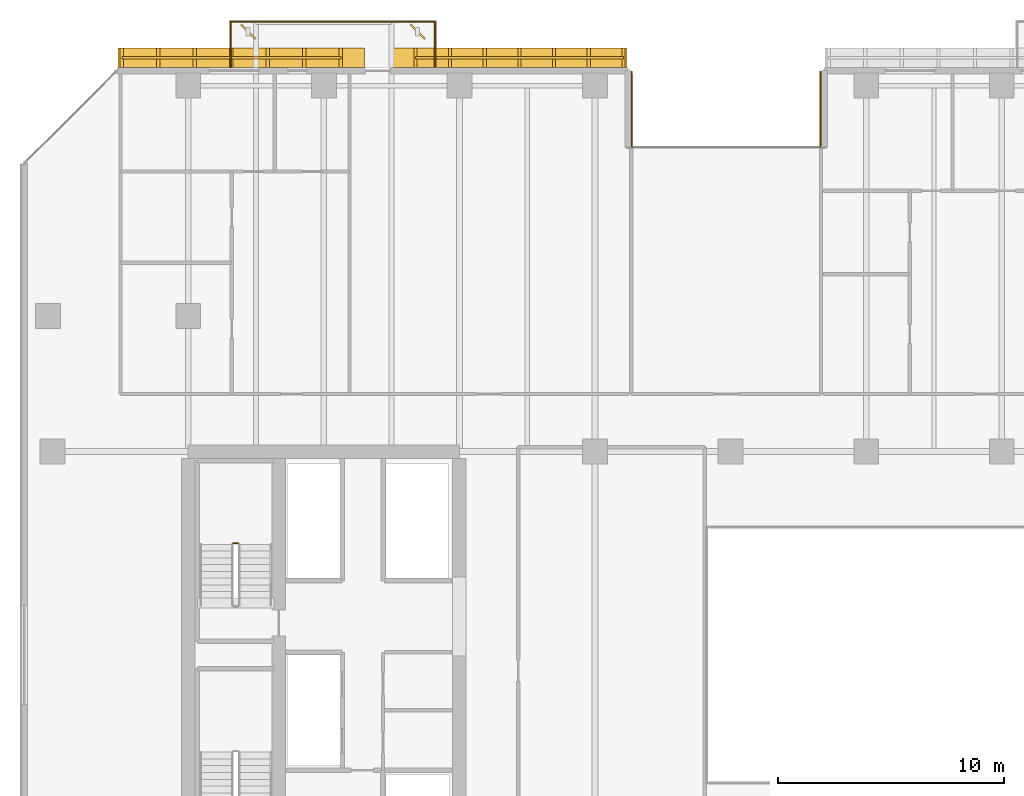
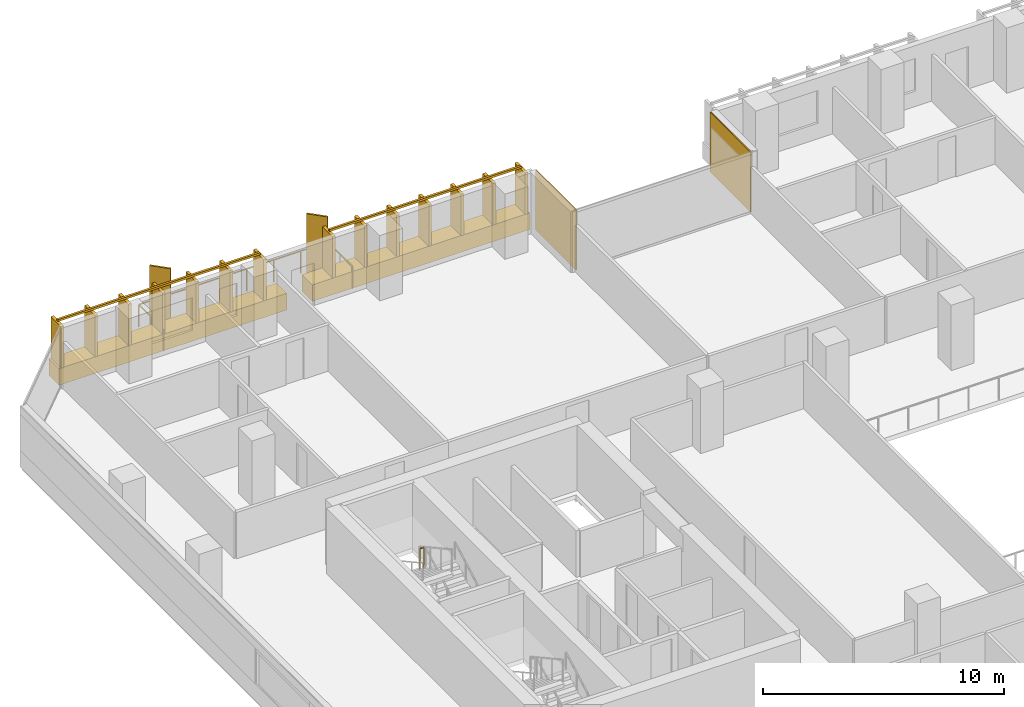
# One storey, part 30 of 34: 4 coverings, 4 railings, 2 shading devices.
"""IFC4 building model written with IfcOpenShell, lengths in metres."""

import ifcopenshell
import ifcopenshell.guid

model = None  # the IFC model being written
_history = None  # IfcOwnerHistory: only IFC2X3 demands one
_inside = {}  # id of a spatial element -> (the spatial element, [elements in it])
_under = {}  # id of a project, library or spatial element -> (it, [spatial elements below it])
_declared = {}  # id of a project -> (the project, [libraries it declares])
_typed = {}  # id of a type object -> (the type object, [elements of that type])
_made_of = {}  # id of a material, layer set ... -> (it, [elements and type objects made of it])


def new_model(schema):
    """Start an empty IFC model of exactly this schema.

    Asked for "IFC4X3", IfcOpenShell would pick the latest addendum, in which some entities
    have other attributes; the version numbers below select the first issue.
    IFC2X3 requires an IfcOwnerHistory on every rooted entity: one is made here for all.
    """
    global model, _history
    if schema == "IFC4X3":
        model = ifcopenshell.file(schema_version=(4, 3, 0, 0))
    else:
        model = ifcopenshell.file(schema=schema)
    _inside.clear()
    _under.clear()
    _declared.clear()
    _typed.clear()
    _made_of.clear()
    _history = None
    if model.schema == "IFC2X3":
        org = make("IfcOrganization", Name="unknown")
        user = make(
            "IfcPersonAndOrganization",
            ThePerson=make("IfcPerson", FamilyName="unknown"),
            TheOrganization=org,
        )
        app = make(
            "IfcApplication",
            ApplicationDeveloper=org,
            Version="unknown",
            ApplicationFullName="unknown",
            ApplicationIdentifier="unknown",
        )
        _history = make(
            "IfcOwnerHistory",
            OwningUser=user,
            OwningApplication=app,
            ChangeAction="ADDED",
            CreationDate=0,
        )
    return model


def make(cls, **values):
    """One entity of the class cls with the attributes given. An attribute that is None is left unset."""
    return model.create_entity(
        cls, **{name: value for name, value in values.items() if value is not None}
    )


def rooted(cls, **values):
    """An entity with a GlobalId (a new one), such as an element, a storey or a relation."""
    return make(cls, GlobalId=ifcopenshell.guid.new(), OwnerHistory=_history, **values)


def si_unit(unit_type, name, prefix=None):
    """IfcSIUnit, for example si_unit("LENGTHUNIT", "METRE", prefix="MILLI")."""
    return make("IfcSIUnit", UnitType=unit_type, Prefix=prefix, Name=name)


def assignment(units):
    """IfcUnitAssignment: the units of a project."""
    return None if units is None else make("IfcUnitAssignment", Units=units)


def point(xyz):
    """IfcCartesianPoint."""
    return None if xyz is None else make("IfcCartesianPoint", Coordinates=xyz)


def direction(xyz):
    """IfcDirection."""
    return None if xyz is None else make("IfcDirection", DirectionRatios=xyz)


def frame(location, z_axis=None, x_axis=None):
    """IfcAxis2Placement3D, a coordinate frame: its origin and axes. An axis left out is left unset."""
    return make(
        "IfcAxis2Placement3D",
        Location=point(location),
        Axis=direction(z_axis),
        RefDirection=direction(x_axis),
    )


def frame_2d(location, x_axis=None):
    """IfcAxis2Placement2D, a coordinate frame in the plane: its origin and x axis."""
    return make(
        "IfcAxis2Placement2D", Location=point(location), RefDirection=direction(x_axis)
    )


def origin():
    """The frame at (0, 0, 0) with its axes left unset."""
    return frame((0.0, 0.0, 0.0))


def origin_2d():
    """The frame at (0, 0) in the plane with its x axis left unset."""
    return frame_2d((0.0, 0.0))


def place(relative_to, where):
    """IfcLocalPlacement: puts the frame where relative to a parent placement (None: the world)."""
    return make(
        "IfcLocalPlacement", PlacementRelTo=relative_to, RelativePlacement=where
    )


def context(
    kind, dimensions, precision=None, world=None, true_north=None, identifier=None
):
    """IfcGeometricRepresentationContext, for example the 3D "Model" context."""
    return make(
        "IfcGeometricRepresentationContext",
        ContextIdentifier=identifier,
        ContextType=kind,
        CoordinateSpaceDimension=dimensions,
        Precision=precision,
        WorldCoordinateSystem=world,
        TrueNorth=true_north,
    )


def subcontext(parent, identifier, kind, view, scale=None):
    """IfcGeometricRepresentationSubContext, for example "Body" below "Model"."""
    return make(
        "IfcGeometricRepresentationSubContext",
        ContextIdentifier=identifier,
        ContextType=kind,
        ParentContext=parent,
        TargetScale=scale,
        TargetView=view,
    )


def project(units=None, contexts=None):
    """IfcProject with its units and contexts."""
    return rooted(
        "IfcProject",
        Name="project",
        RepresentationContexts=contexts,
        UnitsInContext=assignment(units),
    )


def spatial(cls, under=None, at=None, **own):
    """A site, building, storey or space (cls), placed at a placement, below another one or the project."""
    s = rooted(cls, ObjectPlacement=at, **own)
    if under is not None:
        _under.setdefault(under.id(), (under, []))[1].append(s)
    return s


def profile(cls, at=None, kind="AREA", **sizes):
    """A parametric profile (cls). Its sizes go by their IFC names, for example OverallWidth=200.0."""
    return make(cls, ProfileType=kind, Position=at, **sizes)


def rectangle(**sizes):
    """IfcRectangleProfileDef."""
    return profile("IfcRectangleProfileDef", **sizes)


def extrude(swept, where, along, depth):
    """IfcExtrudedAreaSolid: the profile swept, set in the frame where, extruded along a direction by depth."""
    return make(
        "IfcExtrudedAreaSolid",
        SweptArea=swept,
        Position=where,
        ExtrudedDirection=direction(along),
        Depth=depth,
    )


def shape(context_of_items, identifier, shape_type, items):
    """IfcShapeRepresentation: the items that make up one representation, for example the "Body"."""
    return make(
        "IfcShapeRepresentation",
        ContextOfItems=context_of_items,
        RepresentationIdentifier=identifier,
        RepresentationType=shape_type,
        Items=items,
    )


def material(Name=None, Category=None):
    """IfcMaterial."""
    return make("IfcMaterial", Name=Name, Category=Category)


def layer(
    of_material, thickness, ventilated=None, Name=None, Category=None, Priority=None
):
    """IfcMaterialLayer: one layer of a wall or slab, of a material (None: an air gap)."""
    return make(
        "IfcMaterialLayer",
        Material=of_material,
        LayerThickness=thickness,
        IsVentilated=ventilated,
        Name=Name,
        Category=Category,
        Priority=Priority,
    )


def layer_set(layers, Name=None):
    """IfcMaterialLayerSet."""
    return make("IfcMaterialLayerSet", MaterialLayers=layers, LayerSetName=Name)


def made_of(thing, what):
    """Note that an element or type object is made of a material, layer set ...; save() writes the relation."""
    if what is not None:
        _made_of.setdefault(what.id(), (what, []))[1].append(thing)
    return thing


def type_object(cls, material=None, **own):
    """A type object (cls), such as IfcWallType, which elements share."""
    return made_of(rooted(cls, **own), material)


def element(
    cls,
    number,
    at=None,
    inside=None,
    cuts=None,
    type_object=None,
    material=None,
    context=None,
    identifier="Body",
    shape_type=None,
    held_by="IfcProductDefinitionShape",
    body=None,
    shapes=None,
    **own,
):
    """One element of the class cls, such as IfcWall. Its Tag is "e" and its number.

    at: its placement. inside: the storey or other place that contains it. cuts: it is an
    opening in that element (IfcRelVoidsElement). A single representation is given by context,
    identifier, shape_type and body (its items); several are given by shapes. held_by: the class
    of the entity that holds the representations. save() writes the other relations.
    """
    e = rooted(cls, Tag="e%d" % number, ObjectPlacement=at, **own)
    if body is not None:
        shapes = [shape(context, identifier, shape_type, body)]
    if shapes is not None:
        e.Representation = make(held_by, Representations=shapes)
    if inside is not None:
        _inside.setdefault(inside.id(), (inside, []))[1].append(e)
    if cuts is not None:
        rooted(
            "IfcRelVoidsElement", RelatingBuildingElement=cuts, RelatedOpeningElement=e
        )
    if type_object is not None:
        _typed.setdefault(type_object.id(), (type_object, []))[1].append(e)
    return made_of(e, material)


def aggregate(whole, parts):
    """IfcRelAggregates: a whole, such as a stair, and the parts it consists of."""
    return rooted("IfcRelAggregates", RelatingObject=whole, RelatedObjects=parts)


def save(model, path):
    """Write the relations noted so far, then the file.

    IfcRelAggregates (storeys below a building ...), IfcRelContainedInSpatialStructure (elements
    in a storey), IfcRelDefinesByType, IfcRelAssociatesMaterial and IfcRelDeclares: one each for
    every whole, place, type object, material and project.
    """
    for whole, parts in _under.values():
        aggregate(whole, parts)
    for where, things in _inside.values():
        rooted(
            "IfcRelContainedInSpatialStructure",
            RelatedElements=things,
            RelatingStructure=where,
        )
    for kind, things in _typed.values():
        rooted("IfcRelDefinesByType", RelatedObjects=things, RelatingType=kind)
    for what, things in _made_of.values():
        rooted("IfcRelAssociatesMaterial", RelatedObjects=things, RelatingMaterial=what)
    for by, libraries in _declared.values():
        rooted("IfcRelDeclares", RelatingContext=by, RelatedDefinitions=libraries)
    model.write(path)


model = new_model("IFC4")

# Units and contexts
model_context = context("Model", 3, precision=1e-05, world=origin(), true_north=direction((0.0, 1.0)))
body_context = subcontext(model_context, "Body", "Model", "MODEL_VIEW")
ifc_project = project(units=[si_unit("LENGTHUNIT", "METRE"), si_unit("AREAUNIT", "SQUARE_METRE"), si_unit("VOLUMEUNIT", "CUBIC_METRE"), si_unit("PLANEANGLEUNIT", "RADIAN"), si_unit("MASSUNIT", "GRAM", prefix="KILO")], contexts=[model_context])

# Site, building, storey
site_placement = place(None, origin())
site = spatial("IfcSite", under=ifc_project, at=site_placement, CompositionType="ELEMENT")
building_placement = place(site_placement, origin())
building = spatial("IfcBuilding", under=site, at=building_placement, Name="Tanjung Sevakor Pilgrim Tower", CompositionType="ELEMENT")
storey_placement = place(building_placement, frame((0.0, 0.0, 55.43994140625)))
storey = spatial("IfcBuildingStorey", under=building, at=storey_placement, Name="L15", CompositionType="ELEMENT", Elevation=55.43994140625)

# Coverings
ifc_material_1 = material(Name="Reconstructed Limestone Cladding", Category="masonry")
ifc_layer = layer(ifc_material_1, 0.044921875)
ifc_layer_set = layer_set([ifc_layer], Name="COV-CLAD-LIMESTONE")
covering_type = type_object("IfcCoveringType", Name="COV-CLAD-LIMESTONE", PredefinedType="CLADDING", material=ifc_layer_set)
for number, where, z_axis, x_axis, name in (
    (1, (51.9775390625, 57.760009765625, 0.02001953125), (0.0, 0.0, 1.0), (0.0, -1.0, 0.0), "L15 Warm Limestone Wall Cladding EW-L15-MAIN-10"),
    (2, (43.62255859375, 57.760009765625, 0.02001953125), (0.0, 0.0, 1.0), (0.0, 1.0, 0.0), "L15 Warm Limestone Wall Cladding EW-L15-MAIN-12"),
):
    element("IfcCovering", number, at=place(storey_placement, frame(where, z_axis=z_axis, x_axis=x_axis)), inside=storey, type_object=covering_type, Name=name, PredefinedType="CLADDING", context=body_context, shape_type="SweptSolid", body=[
        extrude(rectangle(XDim=3.360107421875, YDim=0.044921875, at=origin_2d()), origin(), (0.0, 0.0, 1.0), 3.0400390625),
    ])
covering_1_placement = place(storey_placement, frame((38.215087890625, 60.030029296875, 0.01025390625), z_axis=(0.0, 0.0, 1.0), x_axis=(-1.0, 0.0, 0.0)))
element("IfcCovering", 3, at=covering_1_placement, inside=storey, type_object=covering_type, Name="L15 Warm Limestone Sill Spandrel EW-L15-MAIN-13-1", PredefinedType="CLADDING", context=body_context, shape_type="SweptSolid", body=[
    extrude(rectangle(XDim=10.409912109375, YDim=0.860107421875, at=origin_2d()), origin(), (0.0, 0.0, 1.0), 0.840087890625),
])
covering_2_placement = place(storey_placement, frame((26.343994140625, 60.030029296875, 0.01025390625), z_axis=(0.0, 0.0, 1.0), x_axis=(-1.0, 0.0, 0.0)))
element("IfcCovering", 4, at=covering_2_placement, inside=storey, type_object=covering_type, Name="L15 Warm Limestone Sill Spandrel EW-L15-MAIN-13-2", PredefinedType="CLADDING", context=body_context, shape_type="SweptSolid", body=[
    extrude(rectangle(XDim=10.89208984375, YDim=0.860107421875, at=origin_2d()), origin(), (0.0, 0.0, 1.0), 0.840087890625),
])

# Railings
ifc_material_2 = material(Name="Laminated Glass and Aluminium", Category="aluminium")
railing_type_1 = type_object("IfcRailingType", Name="RL-BAL-BALUST", PredefinedType="BALUSTRADE", material=ifc_material_2)
railing_1_placement = place(storey_placement, frame((25.8798828125, 59.60009765625, 0.0)))
element("IfcRailing", 5, at=railing_1_placement, inside=storey, type_object=railing_type_1, Name="L15 Loggia Balustrade MAIN-N1", PredefinedType="BALUSTRADE", context=body_context, shape_type="SweptSolid", body=[
    extrude(rectangle(XDim=0.0479, YDim=0.0479), frame((0.0, 0.0, 1.1259765625), z_axis=(0.0, 1.0, 0.0), x_axis=(-1.0, 0.0, 0.0)), (0.0, 0.0, 1.0), 2.02001953125),
    extrude(rectangle(XDim=0.0479, YDim=0.0479), frame((0.0, 2.02001953125, 1.1259765625), z_axis=(1.0, 0.0, 0.0), x_axis=(0.0, 1.0, 0.0)), (0.0, 0.0, 1.0), 9.0400390625),
    extrude(rectangle(XDim=0.0479, YDim=0.0479), frame((9.0400390625, 2.02001953125, 1.1259765625), z_axis=(0.0, -1.0, 0.0), x_axis=(1.0, 0.0, 0.0)), (0.0, 0.0, 1.0), 2.02001953125),
    extrude(rectangle(XDim=0.042, YDim=0.042), origin(), (0.0, 0.0, 1.0), 1.101806640625),
    extrude(rectangle(XDim=0.042, YDim=0.042), frame((0.0, 1.010009765625, 0.0)), (0.0, 0.0, 1.0), 1.101806640625),
    extrude(rectangle(XDim=0.042, YDim=0.042), frame((0.0, 2.02001953125, 0.0)), (0.0, 0.0, 1.0), 1.101806640625),
    extrude(rectangle(XDim=0.042, YDim=0.042), frame((1.29150390625, 2.02001953125, 0.0)), (0.0, 0.0, 1.0), 1.101806640625),
    extrude(rectangle(XDim=0.042, YDim=0.042), frame((2.582763671875, 2.02001953125, 0.0)), (0.0, 0.0, 1.0), 1.101806640625),
    extrude(rectangle(XDim=0.042, YDim=0.042), frame((3.874267578125, 2.02001953125, 0.0)), (0.0, 0.0, 1.0), 1.101806640625),
    extrude(rectangle(XDim=0.042, YDim=0.042), frame((5.165771484375, 2.02001953125, 0.0)), (0.0, 0.0, 1.0), 1.101806640625),
    extrude(rectangle(XDim=0.042, YDim=0.042), frame((6.457275390625, 2.02001953125, 0.0)), (0.0, 0.0, 1.0), 1.101806640625),
    extrude(rectangle(XDim=0.042, YDim=0.042), frame((7.74853515625, 2.02001953125, 0.0)), (0.0, 0.0, 1.0), 1.101806640625),
    extrude(rectangle(XDim=0.042, YDim=0.042), frame((9.0400390625, 2.02001953125, 0.0)), (0.0, 0.0, 1.0), 1.101806640625),
    extrude(rectangle(XDim=0.042, YDim=0.042), frame((9.0400390625, 1.010009765625, 0.0)), (0.0, 0.0, 1.0), 1.101806640625),
    extrude(rectangle(XDim=0.042, YDim=0.042), frame((9.0400390625, 0.0, 0.0)), (0.0, 0.0, 1.0), 1.101806640625),
])
ifc_material_3 = material(Name="Anodised Bronze Aluminium 6063-T6", Category="aluminium")
railing_type_2 = type_object("IfcRailingType", Name="RL-FIN-SCREEN", PredefinedType="BALUSTRADE", material=ifc_material_3)
railing_2_placement = place(storey_placement, frame((43.260009765625, 60.02490234375, 0.840087890625)))
element("IfcRailing", 6, at=railing_2_placement, inside=storey, type_object=railing_type_2, Name="L15 Vertical Bronze-Gold Solar Fin Screen FNSCR-EW-L15-MAIN-13-1", PredefinedType="BALUSTRADE", context=body_context, shape_type="SweptSolid", body=[
    extrude(rectangle(XDim=0.105, YDim=0.105), frame((0.0, 0.0, 2.157470703125), z_axis=(-1.0, 0.0, 0.0), x_axis=(0.0, -1.0, 0.0)), (0.0, 0.0, 1.0), 9.2099609375),
    extrude(rectangle(XDim=0.14, YDim=0.85), origin(), (0.0, 0.0, 1.0), 2.10498046875),
    extrude(rectangle(XDim=0.14, YDim=0.85), frame((-1.534912109375, 0.0, 0.0)), (0.0, 0.0, 1.0), 2.10498046875),
    extrude(rectangle(XDim=0.14, YDim=0.85), frame((-3.070068359375, 0.0, 0.0)), (0.0, 0.0, 1.0), 2.10498046875),
    extrude(rectangle(XDim=0.14, YDim=0.85), frame((-4.60498046875, 0.0, 0.0)), (0.0, 0.0, 1.0), 2.10498046875),
    extrude(rectangle(XDim=0.14, YDim=0.85), frame((-6.139892578125, 0.0, 0.0)), (0.0, 0.0, 1.0), 2.10498046875),
    extrude(rectangle(XDim=0.14, YDim=0.85), frame((-7.675048828125, 0.0, 0.0)), (0.0, 0.0, 1.0), 2.10498046875),
    extrude(rectangle(XDim=0.14, YDim=0.85), frame((-9.2099609375, 0.0, 0.0)), (0.0, 0.0, 1.0), 2.10498046875),
])
railing_3_placement = place(storey_placement, frame((30.75, 60.02490234375, 0.840087890625)))
element("IfcRailing", 7, at=railing_3_placement, inside=storey, type_object=railing_type_2, Name="L15 Vertical Bronze-Gold Solar Fin Screen FNSCR-EW-L15-MAIN-13-2", PredefinedType="BALUSTRADE", context=body_context, shape_type="SweptSolid", body=[
    extrude(rectangle(XDim=0.105, YDim=0.105), frame((0.0, 0.0, 2.157470703125), z_axis=(-1.0, 0.0, 0.0), x_axis=(0.0, -1.0, 0.0)), (0.0, 0.0, 1.0), 9.69189453125),
    extrude(rectangle(XDim=0.14, YDim=0.85), origin(), (0.0, 0.0, 1.0), 2.10498046875),
    extrude(rectangle(XDim=0.14, YDim=0.85), frame((-1.615234375, 0.0, 0.0)), (0.0, 0.0, 1.0), 2.10498046875),
    extrude(rectangle(XDim=0.14, YDim=0.85), frame((-3.230712890625, 0.0, 0.0)), (0.0, 0.0, 1.0), 2.10498046875),
    extrude(rectangle(XDim=0.14, YDim=0.85), frame((-4.845947265625, 0.0, 0.0)), (0.0, 0.0, 1.0), 2.10498046875),
    extrude(rectangle(XDim=0.14, YDim=0.85), frame((-6.461181640625, 0.0, 0.0)), (0.0, 0.0, 1.0), 2.10498046875),
    extrude(rectangle(XDim=0.14, YDim=0.85), frame((-8.07666015625, 0.0, 0.0)), (0.0, 0.0, 1.0), 2.10498046875),
    extrude(rectangle(XDim=0.14, YDim=0.85), frame((-9.69189453125, 0.0, 0.0)), (0.0, 0.0, 1.0), 2.10498046875),
])
ifc_material_4 = material(Name="Steel S355J2", Category="steel")
railing_type_3 = type_object("IfcRailingType", Name="RL-STAIR-GUARD", PredefinedType="GUARDRAIL", material=ifc_material_4)
railing_4_placement = place(storey_placement, frame((26.199951171875, 38.550048828125, 1.650146484375)))
element("IfcRailing", 8, at=railing_4_placement, inside=storey, type_object=railing_type_3, Name="L15 TS-W2 stair guard 2", PredefinedType="GUARDRAIL", context=body_context, shape_type="SweptSolid", body=[
    extrude(rectangle(XDim=0.0479, YDim=0.0479), frame((0.0, 0.0, 1.076171875), z_axis=(-1.0, 0.0, 0.0), x_axis=(0.0, -1.0, 0.0)), (0.0, 0.0, 1.0), 0.199951171875),
    extrude(rectangle(XDim=0.042, YDim=0.042), origin(), (0.0, 0.0, 1.0), 1.052001953125),
    extrude(rectangle(XDim=0.042, YDim=0.042), frame((-0.199951171875, 0.0, 0.0)), (0.0, 0.0, 1.0), 1.052001953125),
])

# Shading devices
ifc_material_5 = material(Name="Anodised Bronze Aluminium 6063-T6", Category="aluminium")
shading_device_type = type_object("IfcShadingDeviceType", Name="SHD-FIN-900A", PredefinedType="USERDEFINED", material=ifc_material_5)
for number, where, z_axis, x_axis, name in (
    (9, (26.64990234375, 61.179931640625, 0.0), (0.0, 0.0, 1.0), (0.707106781187, 0.707106781187, 0.0), "L15 Anodised Bronze Solar Fin 0019"),
    (10, (34.14990234375, 61.179931640625, 0.0), (0.0, 0.0, 1.0), (0.707106781187, 0.707106781187, 0.0), "L15 Anodised Bronze Solar Fin 0020"),
):
    element("IfcShadingDevice", number, at=place(storey_placement, frame(where, z_axis=z_axis, x_axis=x_axis)), inside=storey, type_object=shading_device_type, Name=name, ObjectType="FIN", PredefinedType="USERDEFINED", context=body_context, shape_type="SweptSolid", body=[
        extrude(rectangle(XDim=0.080078125, YDim=0.89990234375, at=origin_2d()), origin(), (0.0, 0.0, 1.0), 3.0400390625),
    ])

save(model, "model.ifc")
